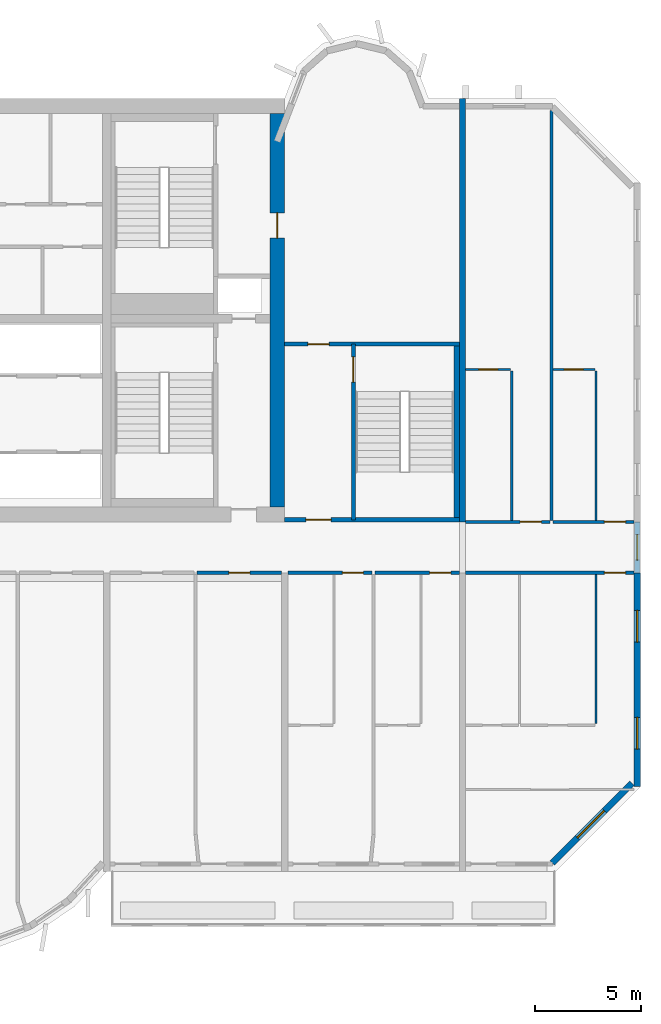
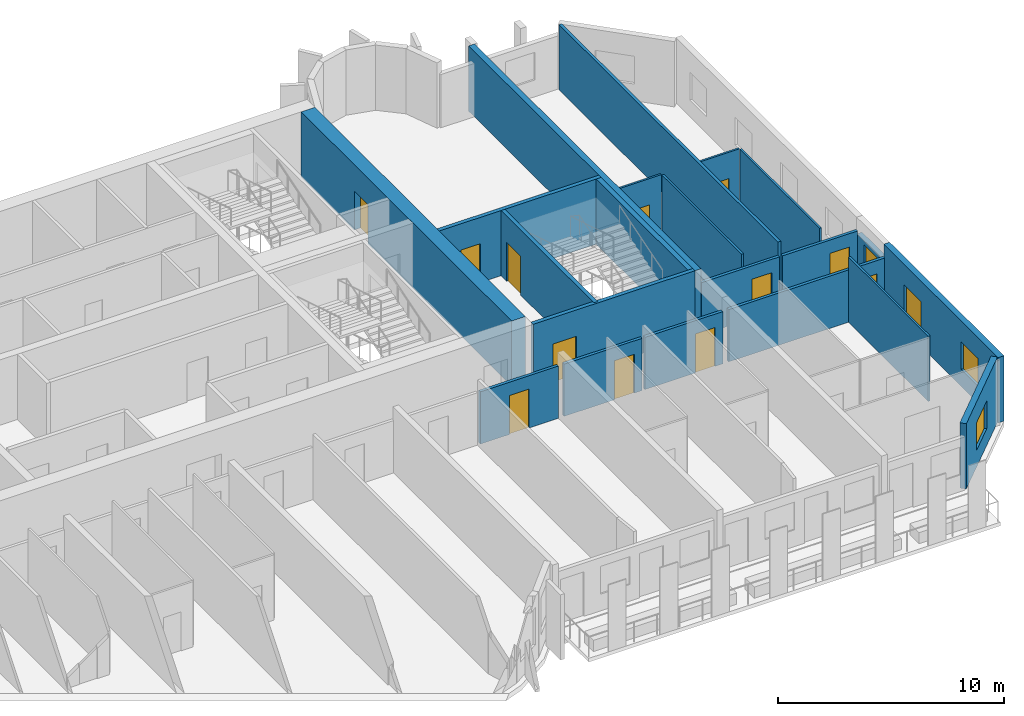
# One storey, part 9 of 13: 21 walls, 12 doors, 4 windows, 16 openings.
"""IFC4 building model written with IfcOpenShell, lengths in metres."""

from ifc_helpers import new_model, si_unit, direction, frame, frame_2d, origin, place, context, subcontext, project, spatial, rectangle, extrude, source, transform, mapped, material, layer, layer_set, type_object, element, fill, save


model = new_model("IFC4")

# Units and contexts
model_context = context("Model", 3, precision=1e-05, world=origin(), true_north=direction((0.0, 1.0)))
body_context = subcontext(model_context, "Body", "Model", "MODEL_VIEW")
ifc_project = project(units=[si_unit("LENGTHUNIT", "METRE"), si_unit("AREAUNIT", "SQUARE_METRE"), si_unit("VOLUMEUNIT", "CUBIC_METRE"), si_unit("PLANEANGLEUNIT", "RADIAN"), si_unit("MASSUNIT", "GRAM", prefix="KILO")], contexts=[model_context])

# Site, building, storey
site_placement = place(None, origin())
site = spatial("IfcSite", under=ifc_project, at=site_placement, CompositionType="ELEMENT")
building_placement = place(site_placement, origin())
building = spatial("IfcBuilding", under=site, at=building_placement, Name="Vanashikhar Sky Hotel", CompositionType="ELEMENT")
storey_placement = place(building_placement, frame((0.0, 0.0, 166.800048828125)))
storey = spatial("IfcBuildingStorey", under=building, at=storey_placement, Name="L40", CompositionType="ELEMENT", Elevation=166.800048828125)

# Wall, opening, door
ifc_material_1 = material(Name="Concrete M60", Category="concrete")
ifc_layer_1 = layer(ifc_material_1, 0.699951171875)
ifc_layer_set_1 = layer_set([ifc_layer_1], Name="RC core shell wall 700 Concrete M60")
wall_type_1 = type_object("IfcWallType", Name="RC core shell wall 700 Concrete M60", PredefinedType="SHEAR", material=ifc_layer_set_1)
shared_shape_1 = source(origin(), body_context, "Body", "SweptSolid", [
    extrude(rectangle(XDim=18.60009765625, YDim=0.699951171875, at=frame_2d((9.300048828125, 0.0))), origin(), (0.0, 0.0, 1.0), 3.52001953125),
])
wall_1_placement = place(storey_placement, frame((75.25, 22.699951171875, 0.0), z_axis=(0.0, 0.0, 1.0), x_axis=(0.0, 1.0, 0.0)))
wall_1 = element("IfcWall", 1, at=wall_1_placement, inside=storey, type_object=wall_type_1, Name="KW-L40-KE", PredefinedType="SHEAR", context=body_context, shape_type="MappedRepresentation", body=[
    mapped(shared_shape_1, transform((0.0, 0.0, 0.0), scale=1.0)),
])
shared_shape_2 = source(origin(), body_context, "Body", "SweptSolid", [
    extrude(rectangle(XDim=1.199951171875, YDim=2.10009765625, at=frame_2d((0.60009765625, 1.050048828125))), frame((0.0, 0.35986328125, 0.0), z_axis=(0.0, -1.0, 0.0), x_axis=(1.0, 0.0, 0.0)), (0.0, 0.0, 1.0), 0.719970703125),
])
opening_1_placement = place(wall_1_placement, frame((12.699951171875, 0.0, 0.0)))
opening_1 = element("IfcOpeningElement", 2, at=opening_1_placement, cuts=wall_1, Name="Opening DC-4-D", PredefinedType="OPENING", context=body_context, shape_type="MappedRepresentation", body=[
    mapped(shared_shape_2, transform((0.0, 0.0, 0.0), scale=1.0)),
])
ifc_material_2 = material(Name="Steel", Category="steel")
door_type_1 = type_object("IfcDoorType", Name="Service door 1200 FD120", OperationType="NOTDEFINED", PredefinedType="DOOR", material=ifc_material_2)
shared_shape_3 = source(origin(), body_context, "Body", "SweptSolid", [
    extrude(rectangle(XDim=1.199951171875, YDim=2.10009765625, at=frame_2d((0.60009765625, 1.050048828125))), frame((0.0, 0.02490234375, 0.0), z_axis=(0.0, -1.0, 0.0), x_axis=(1.0, 0.0, 0.0)), (0.0, 0.0, 1.0), 0.050048828125),
])
door_1_placement = place(opening_1_placement, origin())
door_1 = element("IfcDoor", 3, at=door_1_placement, inside=storey, type_object=door_type_1, Name="Service door 1200 FD120", OperationType="SINGLE_SWING_LEFT", OverallHeight=2.10009765625, OverallWidth=1.199951171875, PredefinedType="DOOR", context=body_context, shape_type="MappedRepresentation", body=[
    mapped(shared_shape_3, transform((0.0, 0.0, 0.0), scale=1.0)),
])
fill(opening_1, door_1)

# Wall, openings, windows
ifc_layer_2 = layer(ifc_material_1, 0.300048828125)
ifc_layer_set_2 = layer_set([ifc_layer_2], Name="RC shear wall 300 Concrete M60")
wall_type_2 = type_object("IfcWallType", Name="RC shear wall 300 Concrete M60", PredefinedType="SHEAR", material=ifc_layer_set_2)
shared_shape_4 = source(origin(), body_context, "Body", "SweptSolid", [
    extrude(rectangle(XDim=10.10009765625, YDim=0.300048828125, at=frame_2d((5.050048828125, 0.0))), origin(), (0.0, 0.0, 1.0), 3.52001953125),
])
wall_2_placement = place(storey_placement, frame((92.25, 9.5, 0.0), z_axis=(0.0, 0.0, 1.0), x_axis=(0.0, 1.0, 0.0)))
wall_2 = element("IfcWall", 4, at=wall_2_placement, inside=storey, type_object=wall_type_2, Name="CW-L40-XW12-1", PredefinedType="SHEAR", context=body_context, shape_type="MappedRepresentation", body=[
    mapped(shared_shape_4, transform((0.0, 0.0, 0.0), scale=1.0)),
])
shared_shape_5 = source(origin(), body_context, "Body", "SweptSolid", [
    extrude(rectangle(XDim=1.5, YDim=1.5, at=frame_2d((0.75, 0.75))), frame((0.0, 0.16015625, 0.0), z_axis=(0.0, -1.0, 0.0), x_axis=(1.0, 0.0, 0.0)), (0.0, 0.0, 1.0), 0.320068359375),
])
opening_2_placement = place(wall_2_placement, frame((1.77490234375, 0.0, 0.89990234375)))
opening_2 = element("IfcOpeningElement", 5, at=opening_2_placement, cuts=wall_2, Name="Opening WN-1", PredefinedType="OPENING", context=body_context, shape_type="MappedRepresentation", body=[
    mapped(shared_shape_5, transform((0.0, 0.0, 0.0), scale=1.0)),
])
opening_3_placement = place(wall_2_placement, frame((6.824951171875, 0.0, 0.89990234375)))
opening_3 = element("IfcOpeningElement", 6, at=opening_3_placement, cuts=wall_2, Name="Opening WN-1", PredefinedType="OPENING", context=body_context, shape_type="MappedRepresentation", body=[
    mapped(shared_shape_5, transform((0.0, 0.0, 0.0), scale=1.0)),
])
ifc_material_3 = material(Name="Glass", Category="glass")
window_type_1 = type_object("IfcWindowType", Name="Window 1500 x 1500", PartitioningType="SINGLE_PANEL", PredefinedType="WINDOW", material=ifc_material_3)
shared_shape_6 = source(origin(), body_context, "Body", "SweptSolid", [
    extrude(rectangle(XDim=1.5, YDim=1.5, at=frame_2d((0.75, 0.75))), frame((0.0, 0.030029296875, 0.0), z_axis=(0.0, -1.0, 0.0), x_axis=(1.0, 0.0, 0.0)), (0.0, 0.0, 1.0), 0.06005859375),
])
window_1_placement = place(opening_2_placement, origin())
window_1 = element("IfcWindow", 7, at=window_1_placement, inside=storey, type_object=window_type_1, Name="Window WN-1", OverallHeight=1.5, OverallWidth=1.5, PartitioningType="SINGLE_PANEL", PredefinedType="WINDOW", context=body_context, shape_type="MappedRepresentation", body=[
    mapped(shared_shape_6, transform((0.0, 0.0, 0.0), scale=1.0)),
])
fill(opening_2, window_1)
window_2_placement = place(opening_3_placement, origin())
window_2 = element("IfcWindow", 8, at=window_2_placement, inside=storey, type_object=window_type_1, Name="Window WN-1", OverallHeight=1.5, OverallWidth=1.5, PartitioningType="SINGLE_PANEL", PredefinedType="WINDOW", context=body_context, shape_type="MappedRepresentation", body=[
    mapped(shared_shape_6, transform((0.0, 0.0, 0.0), scale=1.0)),
])
fill(opening_3, window_2)

# Wall
shared_shape_7 = source(origin(), body_context, "Body", "SweptSolid", [
    extrude(rectangle(XDim=20.0, YDim=0.300048828125, at=frame_2d((10.0, 0.0))), origin(), (0.0, 0.0, 1.0), 3.52001953125),
])
wall_3_placement = place(storey_placement, frame((84.0, 22.0, 0.0), z_axis=(0.0, 0.0, 1.0), x_axis=(0.0, 1.0, 0.0)))
element("IfcWall", 9, at=wall_3_placement, inside=storey, type_object=wall_type_2, Name="CW-L40-XW11-2", PredefinedType="SHEAR", context=body_context, shape_type="MappedRepresentation", body=[
    mapped(shared_shape_7, transform((0.0, 0.0, 0.0), scale=1.0)),
])

# Wall, opening, window
ifc_material_4 = material(Name="Concrete M50", Category="concrete")
ifc_layer_3 = layer(ifc_material_4, 0.300048828125)
ifc_layer_set_3 = layer_set([ifc_layer_3], Name="Lobe wall 300")
wall_type_3 = type_object("IfcWallType", Name="Lobe wall 300", PredefinedType="SOLIDWALL", material=ifc_layer_set_3)
shared_shape_8 = source(origin(), body_context, "Body", "SweptSolid", [
    extrude(rectangle(XDim=5.32568359375, YDim=0.300048828125, at=frame_2d((2.662841796875, 0.0))), origin(), (0.0, 0.0, 1.0), 3.52001953125),
])
wall_4_placement = place(storey_placement, frame((88.234375, 5.89990234375, 0.0), z_axis=(0.0, 0.0, 1.0), x_axis=(0.707083859269, 0.707129702361, 0.0)))
wall_4 = element("IfcWall", 10, at=wall_4_placement, inside=storey, type_object=wall_type_3, Name="Corner wall", PredefinedType="SOLIDWALL", context=body_context, shape_type="MappedRepresentation", body=[
    mapped(shared_shape_8, transform((0.0, 0.0, 0.0), scale=1.0)),
])
shared_shape_9 = source(origin(), body_context, "Body", "SweptSolid", [
    extrude(rectangle(XDim=1.800048828125, YDim=1.5, at=frame_2d((0.89990234375, 0.75))), frame((0.0, 0.16015625, 0.0), z_axis=(0.0, -1.0, 0.0), x_axis=(1.0, 0.0, 0.0)), (0.0, 0.0, 1.0), 0.320068359375),
])
opening_4_placement = place(wall_4_placement, frame((1.689453125, 0.0, 0.89990234375)))
opening_4 = element("IfcOpeningElement", 11, at=opening_4_placement, cuts=wall_4, Name="Opening WN-4", PredefinedType="OPENING", context=body_context, shape_type="MappedRepresentation", body=[
    mapped(shared_shape_9, transform((0.0, 0.0, 0.0), scale=1.0)),
])
window_type_2 = type_object("IfcWindowType", Name="Corner window 1800 x 1500", PartitioningType="SINGLE_PANEL", PredefinedType="WINDOW", material=ifc_material_3)
shared_shape_10 = source(origin(), body_context, "Body", "SweptSolid", [
    extrude(rectangle(XDim=1.800048828125, YDim=1.5, at=frame_2d((0.89990234375, 0.75))), frame((0.0, 0.030029296875, 0.0), z_axis=(0.0, -1.0, 0.0), x_axis=(1.0, 0.0, 0.0)), (0.0, 0.0, 1.0), 0.06005859375),
])
window_3_placement = place(opening_4_placement, origin())
window_3 = element("IfcWindow", 12, at=window_3_placement, inside=storey, type_object=window_type_2, Name="Window WN-4", OverallHeight=1.5, OverallWidth=1.800048828125, PartitioningType="SINGLE_PANEL", PredefinedType="WINDOW", context=body_context, shape_type="MappedRepresentation", body=[
    mapped(shared_shape_10, transform((0.0, 0.0, 0.0), scale=1.0)),
])
fill(opening_4, window_3)

ifc_layer_4 = layer(ifc_material_4, 0.25)
ifc_layer_set_4 = layer_set([ifc_layer_4], Name="Rear and end board-marked wall 250")
wall_type_4 = type_object("IfcWallType", Name="Rear and end board-marked wall 250", PredefinedType="SOLIDWALL", material=ifc_layer_set_4)
shared_shape_11 = source(origin(), body_context, "Body", "SweptSolid", [
    extrude(rectangle(XDim=2.39990234375, YDim=0.25, at=frame_2d((1.199951171875, 0.0))), origin(), (0.0, 0.0, 1.0), 2.619873046875),
])
wall_5_placement = place(storey_placement, frame((92.25, 19.60009765625, 0.0), z_axis=(0.0, 0.0, 1.0), x_axis=(0.0, 1.0, 0.0)))
wall_5 = element("IfcWall", 13, at=wall_5_placement, inside=storey, type_object=wall_type_4, Name="End corridor infill wall", PredefinedType="SOLIDWALL", context=body_context, shape_type="MappedRepresentation", body=[
    mapped(shared_shape_11, transform((0.0, 0.0, 0.0), scale=1.0)),
])
shared_shape_12 = source(origin(), body_context, "Body", "SweptSolid", [
    extrude(rectangle(XDim=1.199951171875, YDim=1.5, at=frame_2d((0.60009765625, 0.75))), frame((0.0, 0.135009765625, 0.0), z_axis=(0.0, -1.0, 0.0), x_axis=(1.0, 0.0, 0.0)), (0.0, 0.0, 1.0), 0.27001953125),
])
opening_5_placement = place(wall_5_placement, frame((0.60009765625, 0.0, 0.89990234375)))
opening_5 = element("IfcOpeningElement", 14, at=opening_5_placement, cuts=wall_5, Name="Opening WN-3", PredefinedType="OPENING", context=body_context, shape_type="MappedRepresentation", body=[
    mapped(shared_shape_12, transform((0.0, 0.0, 0.0), scale=1.0)),
])
window_type_3 = type_object("IfcWindowType", Name="Corridor end window 1200 x 1500", PartitioningType="SINGLE_PANEL", PredefinedType="WINDOW", material=ifc_material_3)
shared_shape_13 = source(origin(), body_context, "Body", "SweptSolid", [
    extrude(rectangle(XDim=1.199951171875, YDim=1.5, at=frame_2d((0.60009765625, 0.75))), frame((0.0, 0.030029296875, 0.0), z_axis=(0.0, -1.0, 0.0), x_axis=(1.0, 0.0, 0.0)), (0.0, 0.0, 1.0), 0.06005859375),
])
window_4_placement = place(opening_5_placement, origin())
window_4 = element("IfcWindow", 15, at=window_4_placement, inside=storey, type_object=window_type_3, Name="Window WN-3", OverallHeight=1.5, OverallWidth=1.199951171875, PartitioningType="SINGLE_PANEL", PredefinedType="WINDOW", context=body_context, shape_type="MappedRepresentation", body=[
    mapped(shared_shape_13, transform((0.0, 0.0, 0.0), scale=1.0)),
])
fill(opening_5, window_4)

# Wall, opening, door
ifc_layer_5 = layer(ifc_material_4, 0.199951171875)
ifc_layer_set_5 = layer_set([ifc_layer_5], Name="Stair wall 200")
wall_type_5 = type_object("IfcWallType", Name="Stair wall 200", PredefinedType="SOLIDWALL", material=ifc_layer_set_5)
shared_shape_14 = source(origin(), body_context, "Body", "SweptSolid", [
    extrude(rectangle(XDim=8.2998046875, YDim=0.199951171875, at=frame_2d((4.14990234375, 0.0))), origin(), (0.0, 0.0, 1.0), 3.52001953125),
])
wall_6_placement = place(storey_placement, frame((78.85009765625, 22.10009765625, 0.0), z_axis=(0.0, 0.0, 1.0), x_axis=(0.0, 1.0, 0.0)))
wall_6 = element("IfcWall", 16, at=wall_6_placement, inside=storey, type_object=wall_type_5, Name="Stair wall 200", PredefinedType="SOLIDWALL", context=body_context, shape_type="MappedRepresentation", body=[
    mapped(shared_shape_14, transform((0.0, 0.0, 0.0), scale=1.0)),
])
shared_shape_15 = source(origin(), body_context, "Body", "SweptSolid", [
    extrude(rectangle(XDim=1.199951171875, YDim=2.10009765625, at=frame_2d((0.60009765625, 1.050048828125))), frame((0.0, 0.10986328125, 0.0), z_axis=(0.0, -1.0, 0.0), x_axis=(1.0, 0.0, 0.0)), (0.0, 0.0, 1.0), 0.219970703125),
])
opening_6_placement = place(wall_6_placement, frame((6.5, 0.0, 0.0)))
opening_6 = element("IfcOpeningElement", 17, at=opening_6_placement, cuts=wall_6, Name="Opening DC-1", PredefinedType="OPENING", context=body_context, shape_type="MappedRepresentation", body=[
    mapped(shared_shape_15, transform((0.0, 0.0, 0.0), scale=1.0)),
])
door_type_2 = type_object("IfcDoorType", Name="Stair door 1200 FD120", OperationType="NOTDEFINED", PredefinedType="DOOR", material=ifc_material_2)
door_2_placement = place(opening_6_placement, origin())
door_2 = element("IfcDoor", 18, at=door_2_placement, inside=storey, type_object=door_type_2, Name="Stair door 1200 FD120", OperationType="SINGLE_SWING_LEFT", OverallHeight=2.10009765625, OverallWidth=1.199951171875, PredefinedType="DOOR", context=body_context, shape_type="MappedRepresentation", body=[
    mapped(shared_shape_3, transform((0.0, 0.0, 0.0), scale=1.0)),
])
fill(opening_6, door_2)

shared_shape_16 = source(origin(), body_context, "Body", "SweptSolid", [
    extrude(rectangle(XDim=8.25, YDim=0.199951171875, at=frame_2d((4.125, 0.0))), origin(), (0.0, 0.0, 1.0), 3.52001953125),
])
wall_7_placement = place(storey_placement, frame((83.85009765625, 22.10009765625, 0.0), z_axis=(0.0, 0.0, 1.0), x_axis=(-1.0, 0.0, 0.0)))
wall_7 = element("IfcWall", 19, at=wall_7_placement, inside=storey, type_object=wall_type_5, Name="Stair wall 200", PredefinedType="SOLIDWALL", context=body_context, shape_type="MappedRepresentation", body=[
    mapped(shared_shape_16, transform((0.0, 0.0, 0.0), scale=1.0)),
])
opening_7_placement = place(wall_7_placement, frame((6.050048828125, 0.0, 0.0)))
opening_7 = element("IfcOpeningElement", 20, at=opening_7_placement, cuts=wall_7, Name="Opening DC-2", PredefinedType="OPENING", context=body_context, shape_type="MappedRepresentation", body=[
    mapped(shared_shape_15, transform((0.0, 0.0, 0.0), scale=1.0)),
])
door_type_3 = type_object("IfcDoorType", Name="Firefighting lobby door 1200 FD120", OperationType="NOTDEFINED", PredefinedType="DOOR", material=ifc_material_2)
door_3_placement = place(opening_7_placement, origin())
door_3 = element("IfcDoor", 21, at=door_3_placement, inside=storey, type_object=door_type_3, Name="Firefighting lobby door 1200 FD120", OperationType="SINGLE_SWING_LEFT", OverallHeight=2.10009765625, OverallWidth=1.199951171875, PredefinedType="DOOR", context=body_context, shape_type="MappedRepresentation", body=[
    mapped(shared_shape_3, transform((0.0, 0.0, 0.0), scale=1.0)),
])
fill(opening_7, door_3)

wall_8_placement = place(storey_placement, frame((83.85009765625, 30.39990234375, 0.0), z_axis=(0.0, 0.0, 1.0), x_axis=(-1.0, 0.0, 0.0)))
wall_8 = element("IfcWall", 22, at=wall_8_placement, inside=storey, type_object=wall_type_5, Name="Stair wall 200", PredefinedType="SOLIDWALL", context=body_context, shape_type="MappedRepresentation", body=[
    mapped(shared_shape_16, transform((0.0, 0.0, 0.0), scale=1.0)),
])
shared_shape_17 = source(origin(), body_context, "Body", "SweptSolid", [
    extrude(rectangle(XDim=1.0, YDim=2.10009765625, at=frame_2d((0.5, 1.050048828125))), frame((0.0, 0.10986328125, 0.0), z_axis=(0.0, -1.0, 0.0), x_axis=(1.0, 0.0, 0.0)), (0.0, 0.0, 1.0), 0.219970703125),
])
opening_8_placement = place(wall_8_placement, frame((6.14990234375, 0.0, 0.0)))
opening_8 = element("IfcOpeningElement", 23, at=opening_8_placement, cuts=wall_8, Name="Opening DC-6", PredefinedType="OPENING", context=body_context, shape_type="MappedRepresentation", body=[
    mapped(shared_shape_17, transform((0.0, 0.0, 0.0), scale=1.0)),
])
door_type_4 = type_object("IfcDoorType", Name="Pocket door 1000 FD60", OperationType="NOTDEFINED", PredefinedType="DOOR", material=ifc_material_2)
shared_shape_18 = source(origin(), body_context, "Body", "SweptSolid", [
    extrude(rectangle(XDim=1.0, YDim=2.10009765625, at=frame_2d((0.5, 1.050048828125))), frame((0.0, 0.02490234375, 0.0), z_axis=(0.0, -1.0, 0.0), x_axis=(1.0, 0.0, 0.0)), (0.0, 0.0, 1.0), 0.050048828125),
])
door_4_placement = place(opening_8_placement, origin())
door_4 = element("IfcDoor", 24, at=door_4_placement, inside=storey, type_object=door_type_4, Name="Pocket door 1000 FD60", OperationType="SINGLE_SWING_LEFT", OverallHeight=2.10009765625, OverallWidth=1.0, PredefinedType="DOOR", context=body_context, shape_type="MappedRepresentation", body=[
    mapped(shared_shape_18, transform((0.0, 0.0, 0.0), scale=1.0)),
])
fill(opening_8, door_4)

# Walls
ifc_layer_6 = layer(ifc_material_4, 0.25)
ifc_layer_set_6 = layer_set([ifc_layer_6], Name="Stair infill wall 250")
wall_type_6 = type_object("IfcWallType", Name="Stair infill wall 250", PredefinedType="SOLIDWALL", material=ifc_layer_set_6)
shared_shape_19 = source(origin(), body_context, "Body", "SweptSolid", [
    extrude(rectangle(XDim=8.10009765625, YDim=0.25, at=frame_2d((4.050048828125, 0.0))), origin(), (0.0, 0.0, 1.0), 3.52001953125),
])
wall_9_placement = place(storey_placement, frame((83.72509765625, 22.199951171875, 0.0), z_axis=(0.0, 0.0, 1.0), x_axis=(0.0, 1.0, 0.0)))
element("IfcWall", 25, at=wall_9_placement, inside=storey, type_object=wall_type_6, Name="Stair infill wall 250", PredefinedType="SOLIDWALL", context=body_context, shape_type="MappedRepresentation", body=[
    mapped(shared_shape_19, transform((0.0, 0.0, 0.0), scale=1.0)),
])
ifc_material_5 = material(Name="Gypsum plasterboard partition")
ifc_layer_7 = layer(ifc_material_5, 0.10009765625)
ifc_layer_set_7 = layer_set([ifc_layer_7], Name="Wet room partition 100")
wall_type_7 = type_object("IfcWallType", Name="Wet room partition 100", PredefinedType="PARTITIONING", material=ifc_layer_set_7)
shared_shape_20 = source(origin(), body_context, "Body", "SweptSolid", [
    extrude(rectangle(XDim=7.0498046875, YDim=0.10009765625, at=frame_2d((3.52490234375, 0.0))), origin(), (0.0, 0.0, 1.0), 3.52001953125),
])
wall_10_placement = place(storey_placement, frame((90.300048828125, 12.47509765625, 0.0), z_axis=(0.0, 0.0, 1.0), x_axis=(0.0, 1.0, 0.0)))
element("IfcWall", 26, at=wall_10_placement, inside=storey, type_object=wall_type_7, Name="W-L40-PW051", PredefinedType="PARTITIONING", context=body_context, shape_type="MappedRepresentation", body=[
    mapped(shared_shape_20, transform((0.0, 0.0, 0.0), scale=1.0)),
])
shared_shape_21 = source(origin(), body_context, "Body", "SweptSolid", [
    extrude(rectangle(XDim=7.050048828125, YDim=0.10009765625, at=frame_2d((3.52490234375, 0.0))), origin(), (0.0, 0.0, 1.0), 3.52001953125),
])
for number, where, z_axis, x_axis, name in (
    (27, (86.324951171875, 22.074951171875, 0.0), (0.0, 0.0, 1.0), (0.0, 1.0, 0.0), "W-L40-PW060"),
    (28, (90.300048828125, 22.074951171875, 0.0), (0.0, 0.0, 1.0), (0.0, 1.0, 0.0), "W-L40-PW063"),
):
    element("IfcWall", number, at=place(storey_placement, frame(where, z_axis=z_axis, x_axis=x_axis)), inside=storey, type_object=wall_type_7, Name=name, PredefinedType="PARTITIONING", context=body_context, shape_type="MappedRepresentation", body=[
        mapped(shared_shape_21, transform((0.0, 0.0, 0.0), scale=1.0)),
    ])

# Wall, opening, door
ifc_layer_8 = layer(ifc_material_5, 0.14990234375)
ifc_layer_set_8 = layer_set([ifc_layer_8], Name="Corridor and demising partition 150")
wall_type_8 = type_object("IfcWallType", Name="Corridor and demising partition 150", PredefinedType="PARTITIONING", material=ifc_layer_set_8)
shared_shape_22 = source(origin(), body_context, "Body", "SweptSolid", [
    extrude(rectangle(XDim=7.9501953125, YDim=0.14990234375, at=frame_2d((3.97509765625, 0.0))), origin(), (0.0, 0.0, 1.0), 2.820068359375),
])
wall_11_placement = place(storey_placement, frame((84.14990234375, 19.60009765625, 0.0), z_axis=(0.0, 0.0, 1.0), x_axis=(1.0, 0.0, 0.0)))
wall_11 = element("IfcWall", 29, at=wall_11_placement, inside=storey, type_object=wall_type_8, Name="W-L40-PW056", PredefinedType="PARTITIONING", context=body_context, shape_type="MappedRepresentation", body=[
    mapped(shared_shape_22, transform((0.0, 0.0, 0.0), scale=1.0)),
])
shared_shape_23 = source(origin(), body_context, "Body", "SweptSolid", [
    extrude(rectangle(XDim=1.0, YDim=2.10009765625, at=frame_2d((0.5, 1.050048828125))), frame((0.0, 0.0849609375, 0.0), z_axis=(0.0, -1.0, 0.0), x_axis=(1.0, 0.0, 0.0)), (0.0, 0.0, 1.0), 0.169921875),
])
opening_9_placement = place(wall_11_placement, frame((6.550048828125, 0.0, 0.0)))
opening_9 = element("IfcOpeningElement", 30, at=opening_9_placement, cuts=wall_11, Name="Opening D-01", PredefinedType="OPENING", context=body_context, shape_type="MappedRepresentation", body=[
    mapped(shared_shape_23, transform((0.0, 0.0, 0.0), scale=1.0)),
])
ifc_material_6 = material(Name="Timber fire door", Category="wood")
door_type_5 = type_object("IfcDoorType", Name="Guest entry door 1000 FD30S", OperationType="NOTDEFINED", PredefinedType="DOOR", material=ifc_material_6)
door_5_placement = place(opening_9_placement, origin())
door_5 = element("IfcDoor", 31, at=door_5_placement, inside=storey, type_object=door_type_5, Name="D-L40-034", OperationType="SINGLE_SWING_RIGHT", OverallHeight=2.10009765625, OverallWidth=1.0, PredefinedType="DOOR", context=body_context, shape_type="MappedRepresentation", body=[
    mapped(shared_shape_18, transform((0.0, 0.0, 0.0), scale=1.0)),
])
fill(opening_9, door_5)

# Wall
shared_shape_24 = source(origin(), body_context, "Body", "SweptSolid", [
    extrude(rectangle(XDim=19.34716796875, YDim=0.14990234375, at=frame_2d((9.673583984375, 0.0))), origin(), (0.0, 0.0, 1.0), 3.52001953125),
])
wall_12_placement = place(storey_placement, frame((88.199951171875, 22.074951171875, 0.0), z_axis=(0.0, 0.0, 1.0), x_axis=(0.0, 1.0, 0.0)))
element("IfcWall", 32, at=wall_12_placement, inside=storey, type_object=wall_type_8, Name="W-L40-PW066", PredefinedType="PARTITIONING", context=body_context, shape_type="MappedRepresentation", body=[
    mapped(shared_shape_24, transform((0.0, 0.0, 0.0), scale=1.0)),
])

# Wall, opening, door
shared_shape_25 = source(origin(), body_context, "Body", "SweptSolid", [
    extrude(rectangle(XDim=2.125, YDim=0.10009765625, at=frame_2d((1.0625, 0.0))), origin(), (0.0, 0.0, 1.0), 3.52001953125),
])
wall_13_placement = place(storey_placement, frame((84.14990234375, 29.199951171875, 0.0), z_axis=(0.0, 0.0, 1.0), x_axis=(1.0, 0.0, 0.0)))
wall_13 = element("IfcWall", 33, at=wall_13_placement, inside=storey, type_object=wall_type_7, Name="W-L40-PW061", PredefinedType="PARTITIONING", context=body_context, shape_type="MappedRepresentation", body=[
    mapped(shared_shape_25, transform((0.0, 0.0, 0.0), scale=1.0)),
])
shared_shape_26 = source(origin(), body_context, "Body", "SweptSolid", [
    extrude(rectangle(XDim=0.89990234375, YDim=2.10009765625, at=frame_2d((0.449951171875, 1.050048828125))), frame((0.0, 0.06005859375, 0.0), z_axis=(0.0, -1.0, 0.0), x_axis=(1.0, 0.0, 0.0)), (0.0, 0.0, 1.0), 0.1201171875),
])
opening_10_placement = place(wall_13_placement, frame((0.612060546875, 0.0, 0.0)))
opening_10 = element("IfcOpeningElement", 34, at=opening_10_placement, cuts=wall_13, Name="Opening D-02", PredefinedType="OPENING", context=body_context, shape_type="MappedRepresentation", body=[
    mapped(shared_shape_26, transform((0.0, 0.0, 0.0), scale=1.0)),
])
ifc_material_7 = material(Name="Timber door", Category="wood")
door_type_6 = type_object("IfcDoorType", Name="Internal door 900", OperationType="NOTDEFINED", PredefinedType="DOOR", material=ifc_material_7)
shared_shape_27 = source(origin(), body_context, "Body", "SweptSolid", [
    extrude(rectangle(XDim=0.89990234375, YDim=2.10009765625, at=frame_2d((0.449951171875, 1.050048828125))), frame((0.0, 0.02490234375, 0.0), z_axis=(0.0, -1.0, 0.0), x_axis=(1.0, 0.0, 0.0)), (0.0, 0.0, 1.0), 0.050048828125),
])
door_6_placement = place(opening_10_placement, origin())
door_6 = element("IfcDoor", 35, at=door_6_placement, inside=storey, type_object=door_type_6, Name="D-L40-036", OperationType="SINGLE_SWING_RIGHT", OverallHeight=2.10009765625, OverallWidth=0.89990234375, PredefinedType="DOOR", context=body_context, shape_type="MappedRepresentation", body=[
    mapped(shared_shape_27, transform((0.0, 0.0, 0.0), scale=1.0)),
])
fill(opening_10, door_6)

shared_shape_28 = source(origin(), body_context, "Body", "SweptSolid", [
    extrude(rectangle(XDim=1.97509765625, YDim=0.10009765625, at=frame_2d((0.987548828125, 0.0))), origin(), (0.0, 0.0, 1.0), 3.52001953125),
])
wall_14_placement = place(storey_placement, frame((88.27490234375, 29.199951171875, 0.0), z_axis=(0.0, 0.0, 1.0), x_axis=(1.0, 0.0, 0.0)))
wall_14 = element("IfcWall", 36, at=wall_14_placement, inside=storey, type_object=wall_type_7, Name="W-L40-PW064", PredefinedType="PARTITIONING", context=body_context, shape_type="MappedRepresentation", body=[
    mapped(shared_shape_28, transform((0.0, 0.0, 0.0), scale=1.0)),
])
opening_11_placement = place(wall_14_placement, frame((0.537109375, 0.0, 0.0)))
opening_11 = element("IfcOpeningElement", 37, at=opening_11_placement, cuts=wall_14, Name="Opening D-02", PredefinedType="OPENING", context=body_context, shape_type="MappedRepresentation", body=[
    mapped(shared_shape_26, transform((0.0, 0.0, 0.0), scale=1.0)),
])
door_7_placement = place(opening_11_placement, origin())
door_7 = element("IfcDoor", 38, at=door_7_placement, inside=storey, type_object=door_type_6, Name="D-L40-038", OperationType="SINGLE_SWING_RIGHT", OverallHeight=2.10009765625, OverallWidth=0.89990234375, PredefinedType="DOOR", context=body_context, shape_type="MappedRepresentation", body=[
    mapped(shared_shape_27, transform((0.0, 0.0, 0.0), scale=1.0)),
])
fill(opening_11, door_7)

shared_shape_29 = source(origin(), body_context, "Body", "SweptSolid", [
    extrude(rectangle(XDim=3.974853515625, YDim=0.14990234375, at=frame_2d((1.9873046875, 0.0))), origin(), (0.0, 0.0, 1.0), 2.820068359375),
])
wall_15_placement = place(storey_placement, frame((71.47509765625, 19.60009765625, 0.0), z_axis=(0.0, 0.0, 1.0), x_axis=(1.0, 0.0, 0.0)))
wall_15 = element("IfcWall", 39, at=wall_15_placement, inside=storey, type_object=wall_type_8, Name="W-L40-PW042", PredefinedType="PARTITIONING", context=body_context, shape_type="MappedRepresentation", body=[
    mapped(shared_shape_29, transform((0.0, 0.0, 0.0), scale=1.0)),
])
opening_12_placement = place(wall_15_placement, frame((1.488037109375, 0.0, 0.0)))
opening_12 = element("IfcOpeningElement", 40, at=opening_12_placement, cuts=wall_15, Name="Opening D-01", PredefinedType="OPENING", context=body_context, shape_type="MappedRepresentation", body=[
    mapped(shared_shape_23, transform((0.0, 0.0, 0.0), scale=1.0)),
])
door_8_placement = place(opening_12_placement, origin())
door_8 = element("IfcDoor", 41, at=door_8_placement, inside=storey, type_object=door_type_5, Name="D-L40-026", OperationType="SINGLE_SWING_RIGHT", OverallHeight=2.10009765625, OverallWidth=1.0, PredefinedType="DOOR", context=body_context, shape_type="MappedRepresentation", body=[
    mapped(shared_shape_18, transform((0.0, 0.0, 0.0), scale=1.0)),
])
fill(opening_12, door_8)

shared_shape_30 = source(origin(), body_context, "Body", "SweptSolid", [
    extrude(rectangle(XDim=3.97509765625, YDim=0.14990234375, at=frame_2d((1.987548828125, 0.0))), origin(), (0.0, 0.0, 1.0), 2.820068359375),
])
wall_16_placement = place(storey_placement, frame((75.75, 19.60009765625, 0.0), z_axis=(0.0, 0.0, 1.0), x_axis=(1.0, 0.0, 0.0)))
wall_16 = element("IfcWall", 42, at=wall_16_placement, inside=storey, type_object=wall_type_8, Name="W-L40-PW046", PredefinedType="PARTITIONING", context=body_context, shape_type="MappedRepresentation", body=[
    mapped(shared_shape_30, transform((0.0, 0.0, 0.0), scale=1.0)),
])
opening_13_placement = place(wall_16_placement, frame((2.574951171875, 0.0, 0.0)))
opening_13 = element("IfcOpeningElement", 43, at=opening_13_placement, cuts=wall_16, Name="Opening D-01", PredefinedType="OPENING", context=body_context, shape_type="MappedRepresentation", body=[
    mapped(shared_shape_23, transform((0.0, 0.0, 0.0), scale=1.0)),
])
door_9_placement = place(opening_13_placement, origin())
door_9 = element("IfcDoor", 44, at=door_9_placement, inside=storey, type_object=door_type_5, Name="D-L40-028", OperationType="SINGLE_SWING_RIGHT", OverallHeight=2.10009765625, OverallWidth=1.0, PredefinedType="DOOR", context=body_context, shape_type="MappedRepresentation", body=[
    mapped(shared_shape_18, transform((0.0, 0.0, 0.0), scale=1.0)),
])
fill(opening_13, door_9)

wall_17_placement = place(storey_placement, frame((79.875, 19.60009765625, 0.0), z_axis=(0.0, 0.0, 1.0), x_axis=(1.0, 0.0, 0.0)))
wall_17 = element("IfcWall", 45, at=wall_17_placement, inside=storey, type_object=wall_type_8, Name="W-L40-PW049", PredefinedType="PARTITIONING", context=body_context, shape_type="MappedRepresentation", body=[
    mapped(shared_shape_30, transform((0.0, 0.0, 0.0), scale=1.0)),
])
opening_14_placement = place(wall_17_placement, frame((2.574951171875, 0.0, 0.0)))
opening_14 = element("IfcOpeningElement", 46, at=opening_14_placement, cuts=wall_17, Name="Opening D-01", PredefinedType="OPENING", context=body_context, shape_type="MappedRepresentation", body=[
    mapped(shared_shape_23, transform((0.0, 0.0, 0.0), scale=1.0)),
])
door_10_placement = place(opening_14_placement, origin())
door_10 = element("IfcDoor", 47, at=door_10_placement, inside=storey, type_object=door_type_5, Name="D-L40-030", OperationType="SINGLE_SWING_RIGHT", OverallHeight=2.10009765625, OverallWidth=1.0, PredefinedType="DOOR", context=body_context, shape_type="MappedRepresentation", body=[
    mapped(shared_shape_18, transform((0.0, 0.0, 0.0), scale=1.0)),
])
fill(opening_14, door_10)

wall_18_placement = place(storey_placement, frame((84.14990234375, 22.0, 0.0), z_axis=(0.0, 0.0, 1.0), x_axis=(1.0, 0.0, 0.0)))
wall_18 = element("IfcWall", 48, at=wall_18_placement, inside=storey, type_object=wall_type_8, Name="W-L40-PW062", PredefinedType="PARTITIONING", context=body_context, shape_type="MappedRepresentation", body=[
    mapped(shared_shape_30, transform((0.0, 0.0, 0.0), scale=1.0)),
])
opening_15_placement = place(wall_18_placement, frame((2.574951171875, 0.0, 0.0)))
opening_15 = element("IfcOpeningElement", 49, at=opening_15_placement, cuts=wall_18, Name="Opening D-01", PredefinedType="OPENING", context=body_context, shape_type="MappedRepresentation", body=[
    mapped(shared_shape_23, transform((0.0, 0.0, 0.0), scale=1.0)),
])
door_11_placement = place(opening_15_placement, origin())
door_11 = element("IfcDoor", 50, at=door_11_placement, inside=storey, type_object=door_type_5, Name="D-L40-037", OperationType="SINGLE_SWING_RIGHT", OverallHeight=2.10009765625, OverallWidth=1.0, PredefinedType="DOOR", context=body_context, shape_type="MappedRepresentation", body=[
    mapped(shared_shape_18, transform((0.0, 0.0, 0.0), scale=1.0)),
])
fill(opening_15, door_11)

shared_shape_31 = source(origin(), body_context, "Body", "SweptSolid", [
    extrude(rectangle(XDim=3.8251953125, YDim=0.14990234375, at=frame_2d((1.91259765625, 0.0))), origin(), (0.0, 0.0, 1.0), 2.820068359375),
])
wall_19_placement = place(storey_placement, frame((88.27490234375, 22.0, 0.0), z_axis=(0.0, 0.0, 1.0), x_axis=(1.0, 0.0, 0.0)))
wall_19 = element("IfcWall", 51, at=wall_19_placement, inside=storey, type_object=wall_type_8, Name="W-L40-PW065", PredefinedType="PARTITIONING", context=body_context, shape_type="MappedRepresentation", body=[
    mapped(shared_shape_31, transform((0.0, 0.0, 0.0), scale=1.0)),
])
opening_16_placement = place(wall_19_placement, frame((2.425048828125, 0.0, 0.0)))
opening_16 = element("IfcOpeningElement", 52, at=opening_16_placement, cuts=wall_19, Name="Opening D-01", PredefinedType="OPENING", context=body_context, shape_type="MappedRepresentation", body=[
    mapped(shared_shape_23, transform((0.0, 0.0, 0.0), scale=1.0)),
])
door_12_placement = place(opening_16_placement, origin())
door_12 = element("IfcDoor", 53, at=door_12_placement, inside=storey, type_object=door_type_5, Name="D-L40-039", OperationType="SINGLE_SWING_RIGHT", OverallHeight=2.10009765625, OverallWidth=1.0, PredefinedType="DOOR", context=body_context, shape_type="MappedRepresentation", body=[
    mapped(shared_shape_18, transform((0.0, 0.0, 0.0), scale=1.0)),
])
fill(opening_16, door_12)

save(model, "model.ifc")
